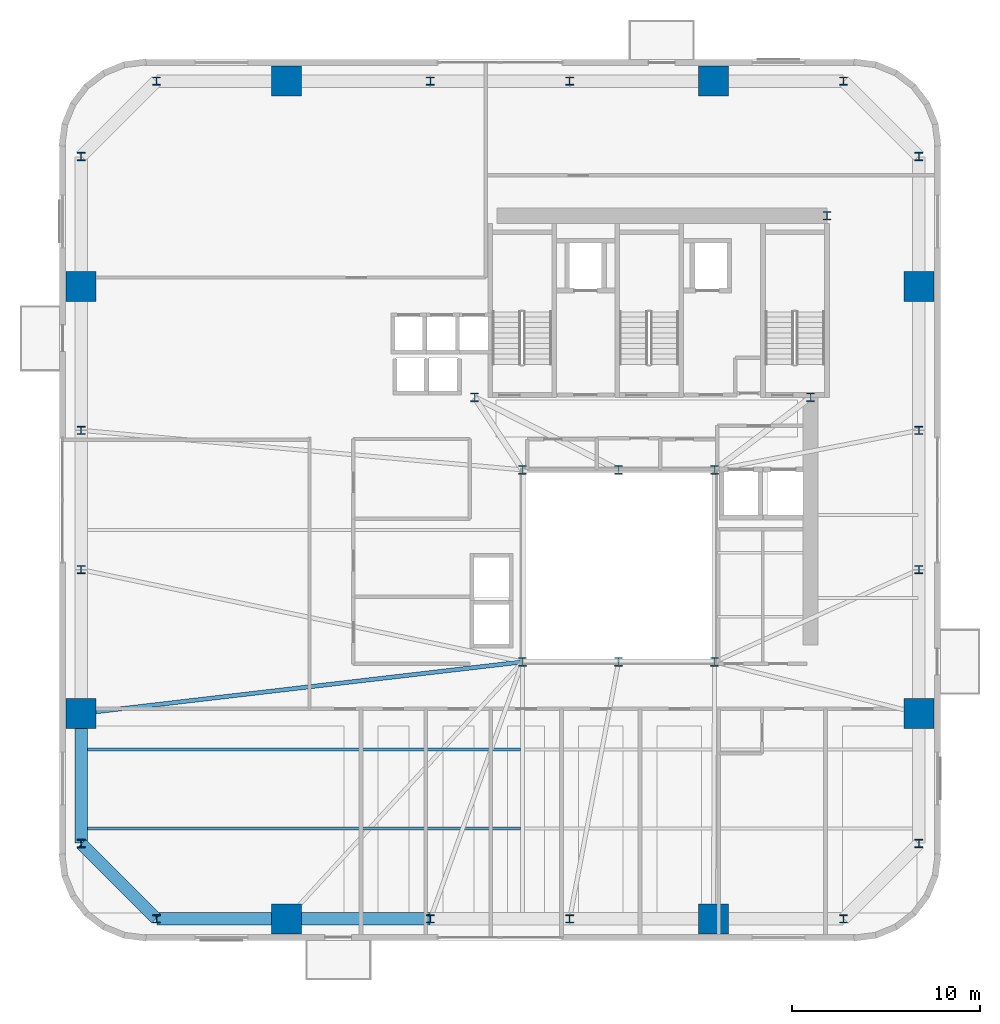
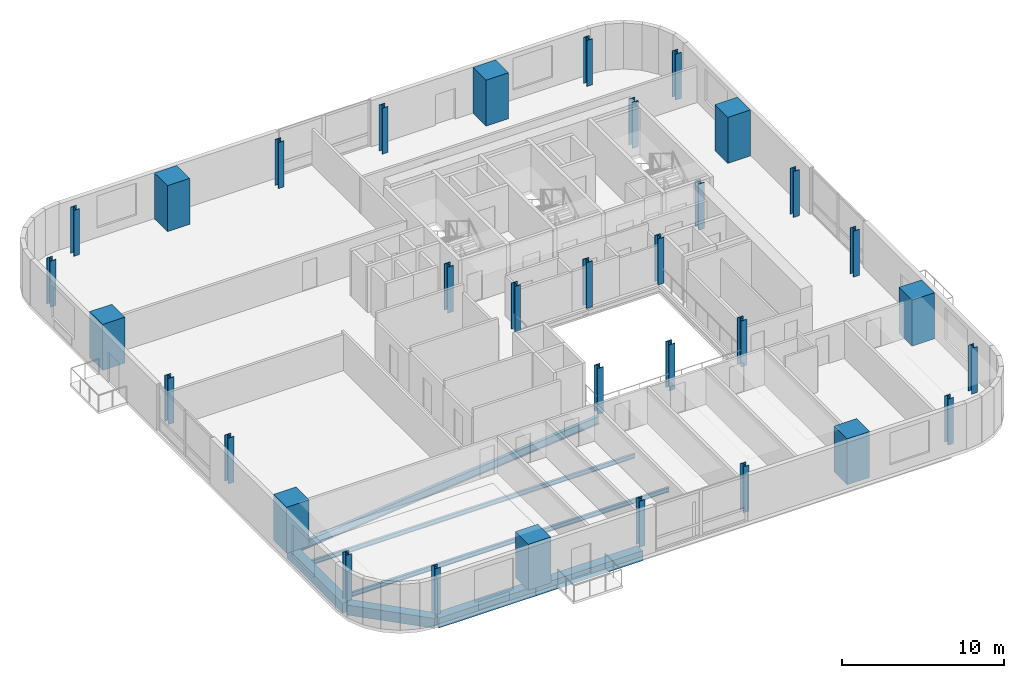
# One storey, part 1 of 14: 33 columns, 7 beams.
"""IFC4 building model written with IfcOpenShell, lengths in metres."""

from ifc_helpers import new_model, si_unit, direction, frame, origin, origin_2d, place, context, subcontext, project, spatial, rectangle, i_section, extrude, source, transform, mapped, material, material_profile, profile_set, type_object, element, save


model = new_model("IFC4")

# Units and contexts
model_context = context("Model", 3, precision=1e-05, world=origin(), true_north=direction((0.0, 1.0)))
body_context = subcontext(model_context, "Body", "Model", "MODEL_VIEW")
ifc_project = project(units=[si_unit("LENGTHUNIT", "METRE"), si_unit("AREAUNIT", "SQUARE_METRE"), si_unit("VOLUMEUNIT", "CUBIC_METRE"), si_unit("PLANEANGLEUNIT", "RADIAN"), si_unit("MASSUNIT", "GRAM", prefix="KILO")], contexts=[model_context])

# Site, building, storey
site_placement = place(None, origin())
site = spatial("IfcSite", under=ifc_project, at=site_placement, CompositionType="ELEMENT")
building_placement = place(site_placement, origin())
building = spatial("IfcBuilding", under=site, at=building_placement, Name="Vardaveli Station Tower", CompositionType="ELEMENT")
storey_placement = place(building_placement, frame((0.0, 0.0, 126.10009765625)))
storey = spatial("IfcBuildingStorey", under=building, at=storey_placement, Name="L32", CompositionType="ELEMENT", Elevation=126.10009765625)

# Columns
ifc_material_1 = material(Name="Structural steel S460M", Category="steel")
ifc_material_profile_1 = material_profile(ifc_material_1, i_section(OverallWidth=0.424072265625, OverallDepth=0.465087890625, WebThickness=0.034912109375, FlangeThickness=0.055908203125, FilletRadius=0.014892578125, at=origin_2d()), Name="HD 400x592")
ifc_profile_set_1 = profile_set([ifc_material_profile_1], Name="Structural steel S460M")
column_type_1 = type_object("IfcColumnType", Name="COL-HD592", PredefinedType="COLUMN", material=ifc_profile_set_1)
shared_shape_1 = source(origin(), body_context, "Body", "SweptSolid", [
    extrude(i_section(OverallWidth=0.424072265625, OverallDepth=0.465087890625, WebThickness=0.034912109375, FlangeThickness=0.055908203125, FilletRadius=0.014892578125, at=origin_2d()), origin(), (0.0, 0.0, 1.0), 3.4599609375),
])
for number, where, z_axis, x_axis, name in (
    (1, (31.199951171875, 16.60009765625, 0.0), (0.0, 0.0, 1.0), (1.0, 0.0, 0.0), "COL-L32-AC1"),
    (2, (36.300048828125, 16.60009765625, 0.0), (0.0, 0.0, 1.0), (1.0, 0.0, 0.0), "COL-L32-AC2"),
    (3, (41.39990234375, 16.60009765625, 0.0), (0.0, 0.0, 1.0), (1.0, 0.0, 0.0), "COL-L32-AC3"),
    (4, (41.39990234375, 26.800048828125, 0.0), (0.0, 0.0, 1.0), (1.0, 0.0, 0.0), "COL-L32-AC4"),
    (5, (36.300048828125, 26.800048828125, 0.0), (0.0, 0.0, 1.0), (1.0, 0.0, 0.0), "COL-L32-AC5"),
    (6, (31.199951171875, 26.800048828125, 0.0), (0.0, 0.0, 1.0), (1.0, 0.0, 0.0), "COL-L32-AC6"),
    (7, (28.64990234375, 30.64990234375, 0.0), (0.0, 0.0, 1.0), (1.0, 0.0, 0.0), "COL-L32-CC1"),
    (8, (46.5, 30.64990234375, 0.0), (0.0, 0.0, 1.0), (1.0, 0.0, 0.0), "COL-L32-CC2"),
    (9, (47.3701171875, 40.300048828125, 0.0), (0.0, 0.0, 1.0), (1.0, 0.0, 0.0), "COL-L32-CC3"),
):
    element("IfcColumn", number, at=place(storey_placement, frame(where, z_axis=z_axis, x_axis=x_axis)), inside=storey, type_object=column_type_1, Name=name, PredefinedType="COLUMN", context=body_context, shape_type="MappedRepresentation", body=[
        mapped(shared_shape_1, transform((0.0, 0.0, 0.0), scale=1.0)),
    ])
ifc_material_2 = material(Name="Concrete C60/75", Category="concrete")
ifc_material_profile_2 = material_profile(ifc_material_2, rectangle(XDim=1.60009765625, YDim=1.60009765625, at=origin_2d()), Name="MC 1600x1600")
ifc_profile_set_2 = profile_set([ifc_material_profile_2], Name="Concrete C60/75")
column_type_2 = type_object("IfcColumnType", Name="COL-MC-1600", PredefinedType="COLUMN", material=ifc_profile_set_2)
shared_shape_2 = source(origin(), body_context, "Body", "SweptSolid", [
    extrude(rectangle(XDim=1.60009765625, YDim=1.60009765625, at=origin_2d()), origin(), (0.0, 0.0, 1.0), 3.4599609375),
])
for number, where, z_axis, x_axis, name in (
    (10, (18.659912109375, 2.949951171875, 0.0), (0.0, 0.0, 1.0), (1.0, 0.0, 0.0), "COL-L32-MC1"),
    (11, (41.340087890625, 2.949951171875, 0.0), (0.0, 0.0, 1.0), (1.0, 0.0, 0.0), "COL-L32-MC2"),
    (12, (52.25, 13.860107421875, 0.0), (0.0, 0.0, 1.0), (1.0, 0.0, 0.0), "COL-L32-MC3"),
    (13, (52.25, 36.5400390625, 0.0), (0.0, 0.0, 1.0), (1.0, 0.0, 0.0), "COL-L32-MC4"),
    (14, (41.340087890625, 47.449951171875, 0.0), (0.0, 0.0, 1.0), (1.0, 0.0, 0.0), "COL-L32-MC5"),
    (15, (18.659912109375, 47.449951171875, 0.0), (0.0, 0.0, 1.0), (1.0, 0.0, 0.0), "COL-L32-MC6"),
    (16, (7.75, 36.5400390625, 0.0), (0.0, 0.0, 1.0), (1.0, 0.0, 0.0), "COL-L32-MC7"),
    (17, (7.75, 13.860107421875, 0.0), (0.0, 0.0, 1.0), (1.0, 0.0, 0.0), "COL-L32-MC8"),
):
    element("IfcColumn", number, at=place(storey_placement, frame(where, z_axis=z_axis, x_axis=x_axis)), inside=storey, type_object=column_type_2, Name=name, PredefinedType="COLUMN", context=body_context, shape_type="MappedRepresentation", body=[
        mapped(shared_shape_2, transform((0.0, 0.0, 0.0), scale=1.0)),
    ])
ifc_material_profile_3 = material_profile(ifc_material_1, i_section(OverallWidth=0.4140625, OverallDepth=0.431884765625, WebThickness=0.025634765625, FlangeThickness=0.0400390625, FilletRadius=0.014892578125, at=origin_2d()), Name="HD 400x421")
ifc_profile_set_3 = profile_set([ifc_material_profile_3], Name="Structural steel S460M")
column_type_3 = type_object("IfcColumnType", Name="COL-HD421", PredefinedType="COLUMN", material=ifc_profile_set_3)
shared_shape_3 = source(origin(), body_context, "Body", "SweptSolid", [
    extrude(i_section(OverallWidth=0.4140625, OverallDepth=0.431884765625, WebThickness=0.025634765625, FlangeThickness=0.0400390625, FilletRadius=0.014892578125, at=origin_2d()), origin(), (0.0, 0.0, 1.0), 3.4599609375),
])
for number, where, z_axis, x_axis, name in (
    (18, (11.75, 2.949951171875, 0.0), (0.0, 0.0, 1.0), (1.0, 0.0, 0.0), "COL-L32-PC01"),
    (19, (26.300048828125, 2.949951171875, 0.0), (0.0, 0.0, 1.0), (1.0, 0.0, 0.0), "COL-L32-PC02"),
    (20, (33.699951171875, 2.949951171875, 0.0), (0.0, 0.0, 1.0), (1.0, 0.0, 0.0), "COL-L32-PC03"),
    (21, (48.25, 2.949951171875, 0.0), (0.0, 0.0, 1.0), (1.0, 0.0, 0.0), "COL-L32-PC04"),
    (22, (52.25, 6.949951171875, 0.0), (0.0, 0.0, 1.0), (1.0, 0.0, 0.0), "COL-L32-PC05"),
    (23, (52.25, 21.5, 0.0), (0.0, 0.0, 1.0), (1.0, 0.0, 0.0), "COL-L32-PC06"),
    (24, (52.25, 28.89990234375, 0.0), (0.0, 0.0, 1.0), (1.0, 0.0, 0.0), "COL-L32-PC07"),
    (25, (52.25, 43.449951171875, 0.0), (0.0, 0.0, 1.0), (1.0, 0.0, 0.0), "COL-L32-PC08"),
    (26, (48.25, 47.449951171875, 0.0), (0.0, 0.0, 1.0), (1.0, 0.0, 0.0), "COL-L32-PC09"),
    (27, (33.699951171875, 47.449951171875, 0.0), (0.0, 0.0, 1.0), (1.0, 0.0, 0.0), "COL-L32-PC10"),
    (28, (26.300048828125, 47.449951171875, 0.0), (0.0, 0.0, 1.0), (1.0, 0.0, 0.0), "COL-L32-PC11"),
    (29, (11.75, 47.449951171875, 0.0), (0.0, 0.0, 1.0), (1.0, 0.0, 0.0), "COL-L32-PC12"),
    (30, (7.75, 43.449951171875, 0.0), (0.0, 0.0, 1.0), (1.0, 0.0, 0.0), "COL-L32-PC13"),
    (31, (7.75, 28.89990234375, 0.0), (0.0, 0.0, 1.0), (1.0, 0.0, 0.0), "COL-L32-PC14"),
    (32, (7.75, 21.5, 0.0), (0.0, 0.0, 1.0), (1.0, 0.0, 0.0), "COL-L32-PC15"),
    (33, (7.75, 6.949951171875, 0.0), (0.0, 0.0, 1.0), (1.0, 0.0, 0.0), "COL-L32-PC16"),
):
    element("IfcColumn", number, at=place(storey_placement, frame(where, z_axis=z_axis, x_axis=x_axis)), inside=storey, type_object=column_type_3, Name=name, PredefinedType="COLUMN", context=body_context, shape_type="MappedRepresentation", body=[
        mapped(shared_shape_3, transform((0.0, 0.0, 0.0), scale=1.0)),
    ])

# Beams
ifc_material_3 = material(Name="Precast concrete C45/55", Category="concrete")
ifc_material_profile_4 = material_profile(ifc_material_3, rectangle(XDim=0.64990234375, YDim=0.75, at=origin_2d()), Name="LPB 650x750")
ifc_profile_set_4 = profile_set([ifc_material_profile_4], Name="Precast concrete C45/55")
beam_type_1 = type_object("IfcBeamType", Name="BM-LPB-750", PredefinedType="BEAM", material=ifc_profile_set_4)
shared_shape_4 = source(origin(), body_context, "Body", "SweptSolid", [
    extrude(rectangle(XDim=0.64990234375, YDim=0.75, at=origin_2d()), origin(), (0.0, 0.0, 1.0), 7.60009765625),
])
beam_1_placement = place(storey_placement, frame((18.679931640625, 2.949951171875, -0.614990234375), z_axis=(1.0, 0.0, 0.0), x_axis=(0.0, 1.0, 0.0)))
element("IfcBeam", 34, at=beam_1_placement, inside=storey, type_object=beam_type_1, Name="RBM-L32-01", PredefinedType="BEAM", context=body_context, shape_type="MappedRepresentation", body=[
    mapped(shared_shape_4, transform((0.0, 0.0, 0.0), scale=1.0)),
])
shared_shape_5 = source(origin(), body_context, "Body", "SweptSolid", [
    extrude(rectangle(XDim=0.64990234375, YDim=0.75, at=origin_2d()), origin(), (0.0, 0.0, 1.0), 6.869873046875),
])
beam_2_placement = place(storey_placement, frame((11.77001953125, 2.949951171875, -0.614990234375), z_axis=(1.0, 0.0, 0.0), x_axis=(0.0, 1.0, 0.0)))
element("IfcBeam", 35, at=beam_2_placement, inside=storey, type_object=beam_type_1, Name="RBM-L32-24", PredefinedType="BEAM", context=body_context, shape_type="MappedRepresentation", body=[
    mapped(shared_shape_5, transform((0.0, 0.0, 0.0), scale=1.0)),
])
shared_shape_6 = source(origin(), body_context, "Body", "SweptSolid", [
    extrude(rectangle(XDim=0.64990234375, YDim=0.75, at=origin_2d()), origin(), (0.0, 0.0, 1.0), 5.61669921875),
])
beam_3_placement = place(storey_placement, frame((7.76416015625, 6.935791015625, -0.614990234375), z_axis=(0.707106781187, -0.707106781187, 0.0), x_axis=(0.707106781187, 0.707106781187, 0.0)))
element("IfcBeam", 36, at=beam_3_placement, inside=storey, type_object=beam_type_1, Name="RBM-L32-23", PredefinedType="BEAM", context=body_context, shape_type="MappedRepresentation", body=[
    mapped(shared_shape_6, transform((0.0, 0.0, 0.0), scale=1.0)),
])
shared_shape_7 = source(origin(), body_context, "Body", "SweptSolid", [
    extrude(rectangle(XDim=0.64990234375, YDim=0.75, at=origin_2d()), origin(), (0.0, 0.0, 1.0), 6.8701171875),
])
beam_4_placement = place(storey_placement, frame((7.75, 13.840087890625, -0.614990234375), z_axis=(0.0, -1.0, 0.0), x_axis=(1.0, 0.0, 0.0)))
element("IfcBeam", 37, at=beam_4_placement, inside=storey, type_object=beam_type_1, Name="RBM-L32-22", PredefinedType="BEAM", context=body_context, shape_type="MappedRepresentation", body=[
    mapped(shared_shape_7, transform((0.0, 0.0, 0.0), scale=1.0)),
])
ifc_material_4 = material(Name="Structural steel S355J2", Category="steel")
ifc_material_profile_5 = material_profile(ifc_material_4, i_section(OverallWidth=0.159912109375, OverallDepth=0.330078125, WebThickness=0.007568359375, FlangeThickness=0.011474609375, FilletRadius=0.01806640625, at=origin_2d()), Name="IPE 330")
ifc_profile_set_5 = profile_set([ifc_material_profile_5], Name="Structural steel S355J2")
beam_type_2 = type_object("IfcBeamType", Name="BM-IPE330", PredefinedType="JOIST", material=ifc_profile_set_5)
shared_shape_8 = source(origin(), body_context, "Body", "SweptSolid", [
    extrude(i_section(OverallWidth=0.159912109375, OverallDepth=0.330078125, WebThickness=0.007568359375, FlangeThickness=0.011474609375, FilletRadius=0.01806640625, at=origin_2d()), origin(), (0.0, 0.0, 1.0), 23.2978515625),
])
for number, where, z_axis, x_axis, name in (
    (38, (7.7900390625, 7.75, -0.405029296875), (1.0, 0.0, 0.0), (0.0, 1.0, 0.0), "SJ-L32-S01"),
    (39, (7.7900390625, 11.949951171875, -0.405029296875), (1.0, 0.0, 0.0), (0.0, 1.0, 0.0), "SJ-L32-S03"),
):
    element("IfcBeam", number, at=place(storey_placement, frame(where, z_axis=z_axis, x_axis=x_axis)), inside=storey, type_object=beam_type_2, Name=name, PredefinedType="JOIST", context=body_context, shape_type="MappedRepresentation", body=[
        mapped(shared_shape_8, transform((0.0, 0.0, 0.0), scale=1.0)),
    ])
ifc_material_profile_6 = material_profile(ifc_material_4, i_section(OverallWidth=0.219970703125, OverallDepth=0.60009765625, WebThickness=0.011962890625, FlangeThickness=0.01904296875, FilletRadius=0.02392578125, at=origin_2d()), Name="IPE 600")
ifc_profile_set_6 = profile_set([ifc_material_profile_6], Name="Structural steel S355J2")
beam_type_3 = type_object("IfcBeamType", Name="BM-IPE600", PredefinedType="BEAM", material=ifc_profile_set_6)
shared_shape_9 = source(origin(), body_context, "Body", "SweptSolid", [
    extrude(i_section(OverallWidth=0.219970703125, OverallDepth=0.60009765625, WebThickness=0.011962890625, FlangeThickness=0.01904296875, FilletRadius=0.02392578125, at=origin_2d()), origin(), (0.0, 0.0, 1.0), 23.569580078125),
])
beam_5_placement = place(storey_placement, frame((7.769775390625, 13.8623046875, -0.5400390625), z_axis=(0.993242915589, 0.11605391261, 0.0), x_axis=(-0.11605391261, 0.993242915589, 0.0)))
element("IfcBeam", 40, at=beam_5_placement, inside=storey, type_object=beam_type_3, Name="GBM-L32-10", PredefinedType="BEAM", context=body_context, shape_type="MappedRepresentation", body=[
    mapped(shared_shape_9, transform((0.0, 0.0, 0.0), scale=1.0)),
])

save(model, "model.ifc")
